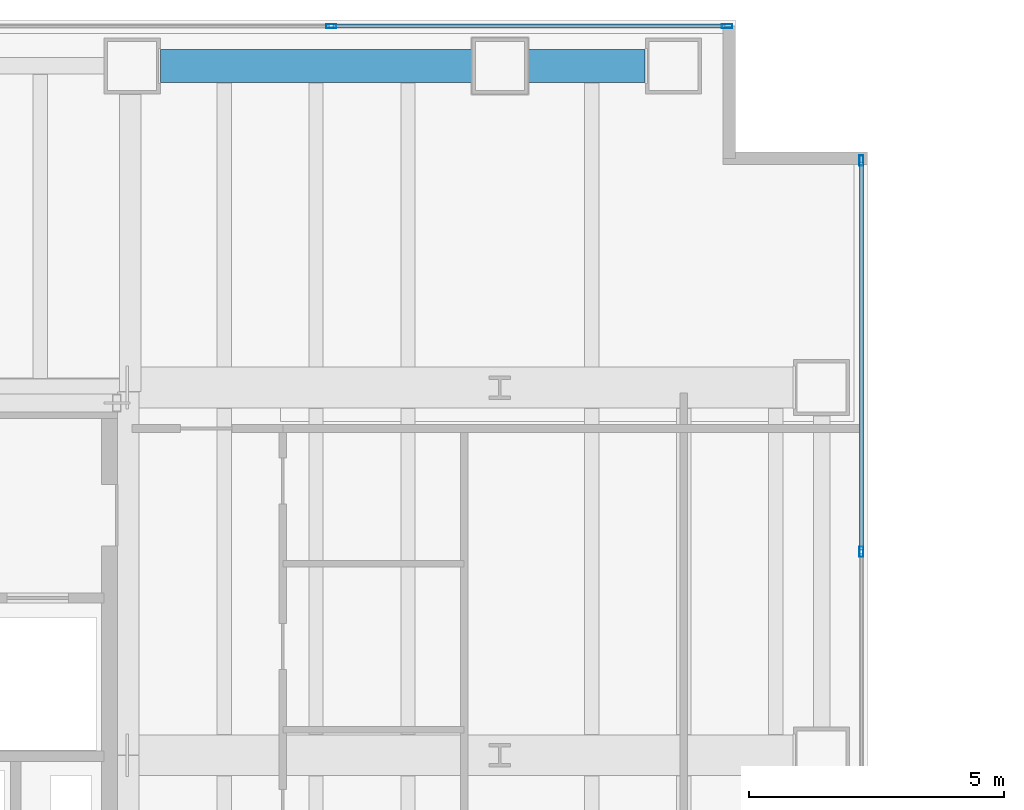
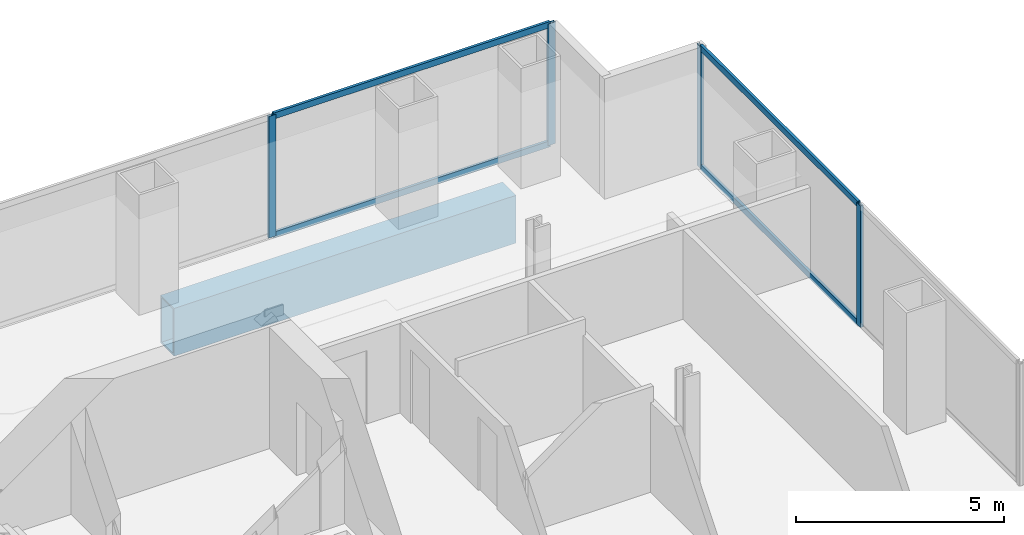
# One storey, part 18 of 24: 8 members, 1 beam, 2 elements without a shape of their own.
"""IFC4 building model written with IfcOpenShell, lengths in metres."""

import ifcopenshell
import ifcopenshell.guid

model = None  # the IFC model being written
_history = None  # IfcOwnerHistory: only IFC2X3 demands one
_inside = {}  # id of a spatial element -> (the spatial element, [elements in it])
_under = {}  # id of a project, library or spatial element -> (it, [spatial elements below it])
_declared = {}  # id of a project -> (the project, [libraries it declares])
_typed = {}  # id of a type object -> (the type object, [elements of that type])
_made_of = {}  # id of a material, layer set ... -> (it, [elements and type objects made of it])


def new_model(schema):
    """Start an empty IFC model of exactly this schema.

    Asked for "IFC4X3", IfcOpenShell would pick the latest addendum, in which some entities
    have other attributes; the version numbers below select the first issue.
    IFC2X3 requires an IfcOwnerHistory on every rooted entity: one is made here for all.
    """
    global model, _history
    if schema == "IFC4X3":
        model = ifcopenshell.file(schema_version=(4, 3, 0, 0))
    else:
        model = ifcopenshell.file(schema=schema)
    _inside.clear()
    _under.clear()
    _declared.clear()
    _typed.clear()
    _made_of.clear()
    _history = None
    if model.schema == "IFC2X3":
        org = make("IfcOrganization", Name="unknown")
        user = make(
            "IfcPersonAndOrganization",
            ThePerson=make("IfcPerson", FamilyName="unknown"),
            TheOrganization=org,
        )
        app = make(
            "IfcApplication",
            ApplicationDeveloper=org,
            Version="unknown",
            ApplicationFullName="unknown",
            ApplicationIdentifier="unknown",
        )
        _history = make(
            "IfcOwnerHistory",
            OwningUser=user,
            OwningApplication=app,
            ChangeAction="ADDED",
            CreationDate=0,
        )
    return model


def make(cls, **values):
    """One entity of the class cls with the attributes given. An attribute that is None is left unset."""
    return model.create_entity(
        cls, **{name: value for name, value in values.items() if value is not None}
    )


def rooted(cls, **values):
    """An entity with a GlobalId (a new one), such as an element, a storey or a relation."""
    return make(cls, GlobalId=ifcopenshell.guid.new(), OwnerHistory=_history, **values)


def si_unit(unit_type, name, prefix=None):
    """IfcSIUnit, for example si_unit("LENGTHUNIT", "METRE", prefix="MILLI")."""
    return make("IfcSIUnit", UnitType=unit_type, Prefix=prefix, Name=name)


def assignment(units):
    """IfcUnitAssignment: the units of a project."""
    return None if units is None else make("IfcUnitAssignment", Units=units)


def point(xyz):
    """IfcCartesianPoint."""
    return None if xyz is None else make("IfcCartesianPoint", Coordinates=xyz)


def direction(xyz):
    """IfcDirection."""
    return None if xyz is None else make("IfcDirection", DirectionRatios=xyz)


def frame(location, z_axis=None, x_axis=None):
    """IfcAxis2Placement3D, a coordinate frame: its origin and axes. An axis left out is left unset."""
    return make(
        "IfcAxis2Placement3D",
        Location=point(location),
        Axis=direction(z_axis),
        RefDirection=direction(x_axis),
    )


def frame_2d(location, x_axis=None):
    """IfcAxis2Placement2D, a coordinate frame in the plane: its origin and x axis."""
    return make(
        "IfcAxis2Placement2D", Location=point(location), RefDirection=direction(x_axis)
    )


def origin():
    """The frame at (0, 0, 0) with its axes left unset."""
    return frame((0.0, 0.0, 0.0))


def origin_2d():
    """The frame at (0, 0) in the plane with its x axis left unset."""
    return frame_2d((0.0, 0.0))


def place(relative_to, where):
    """IfcLocalPlacement: puts the frame where relative to a parent placement (None: the world)."""
    return make(
        "IfcLocalPlacement", PlacementRelTo=relative_to, RelativePlacement=where
    )


def context(
    kind, dimensions, precision=None, world=None, true_north=None, identifier=None
):
    """IfcGeometricRepresentationContext, for example the 3D "Model" context."""
    return make(
        "IfcGeometricRepresentationContext",
        ContextIdentifier=identifier,
        ContextType=kind,
        CoordinateSpaceDimension=dimensions,
        Precision=precision,
        WorldCoordinateSystem=world,
        TrueNorth=true_north,
    )


def subcontext(parent, identifier, kind, view, scale=None):
    """IfcGeometricRepresentationSubContext, for example "Body" below "Model"."""
    return make(
        "IfcGeometricRepresentationSubContext",
        ContextIdentifier=identifier,
        ContextType=kind,
        ParentContext=parent,
        TargetScale=scale,
        TargetView=view,
    )


def project(units=None, contexts=None):
    """IfcProject with its units and contexts."""
    return rooted(
        "IfcProject",
        Name="project",
        RepresentationContexts=contexts,
        UnitsInContext=assignment(units),
    )


def spatial(cls, under=None, at=None, **own):
    """A site, building, storey or space (cls), placed at a placement, below another one or the project."""
    s = rooted(cls, ObjectPlacement=at, **own)
    if under is not None:
        _under.setdefault(under.id(), (under, []))[1].append(s)
    return s


def profile(cls, at=None, kind="AREA", **sizes):
    """A parametric profile (cls). Its sizes go by their IFC names, for example OverallWidth=200.0."""
    return make(cls, ProfileType=kind, Position=at, **sizes)


def hollow_rectangle(**sizes):
    """IfcRectangleHollowProfileDef."""
    return profile("IfcRectangleHollowProfileDef", **sizes)


def extrude(swept, where, along, depth):
    """IfcExtrudedAreaSolid: the profile swept, set in the frame where, extruded along a direction by depth."""
    return make(
        "IfcExtrudedAreaSolid",
        SweptArea=swept,
        Position=where,
        ExtrudedDirection=direction(along),
        Depth=depth,
    )


def shape(context_of_items, identifier, shape_type, items):
    """IfcShapeRepresentation: the items that make up one representation, for example the "Body"."""
    return make(
        "IfcShapeRepresentation",
        ContextOfItems=context_of_items,
        RepresentationIdentifier=identifier,
        RepresentationType=shape_type,
        Items=items,
    )


def material(Name=None, Category=None):
    """IfcMaterial."""
    return make("IfcMaterial", Name=Name, Category=Category)


def material_profile(
    of_material, cross_section, Name=None, Category=None, Priority=None
):
    """IfcMaterialProfile: a cross section and its material."""
    return make(
        "IfcMaterialProfile",
        Name=Name,
        Material=of_material,
        Profile=cross_section,
        Priority=Priority,
        Category=Category,
    )


def profile_set(profiles, Name=None, composite=None):
    """IfcMaterialProfileSet."""
    return make(
        "IfcMaterialProfileSet",
        Name=Name,
        MaterialProfiles=profiles,
        CompositeProfile=composite,
    )


def made_of(thing, what):
    """Note that an element or type object is made of a material, layer set ...; save() writes the relation."""
    if what is not None:
        _made_of.setdefault(what.id(), (what, []))[1].append(thing)
    return thing


def type_object(cls, material=None, **own):
    """A type object (cls), such as IfcWallType, which elements share."""
    return made_of(rooted(cls, **own), material)


def element(
    cls,
    number,
    at=None,
    inside=None,
    cuts=None,
    type_object=None,
    material=None,
    context=None,
    identifier="Body",
    shape_type=None,
    held_by="IfcProductDefinitionShape",
    body=None,
    shapes=None,
    **own,
):
    """One element of the class cls, such as IfcWall. Its Tag is "e" and its number.

    at: its placement. inside: the storey or other place that contains it. cuts: it is an
    opening in that element (IfcRelVoidsElement). A single representation is given by context,
    identifier, shape_type and body (its items); several are given by shapes. held_by: the class
    of the entity that holds the representations. save() writes the other relations.
    """
    e = rooted(cls, Tag="e%d" % number, ObjectPlacement=at, **own)
    if body is not None:
        shapes = [shape(context, identifier, shape_type, body)]
    if shapes is not None:
        e.Representation = make(held_by, Representations=shapes)
    if inside is not None:
        _inside.setdefault(inside.id(), (inside, []))[1].append(e)
    if cuts is not None:
        rooted(
            "IfcRelVoidsElement", RelatingBuildingElement=cuts, RelatedOpeningElement=e
        )
    if type_object is not None:
        _typed.setdefault(type_object.id(), (type_object, []))[1].append(e)
    return made_of(e, material)


def aggregate(whole, parts):
    """IfcRelAggregates: a whole, such as a stair, and the parts it consists of."""
    return rooted("IfcRelAggregates", RelatingObject=whole, RelatedObjects=parts)


def save(model, path):
    """Write the relations noted so far, then the file.

    IfcRelAggregates (storeys below a building ...), IfcRelContainedInSpatialStructure (elements
    in a storey), IfcRelDefinesByType, IfcRelAssociatesMaterial and IfcRelDeclares: one each for
    every whole, place, type object, material and project.
    """
    for whole, parts in _under.values():
        aggregate(whole, parts)
    for where, things in _inside.values():
        rooted(
            "IfcRelContainedInSpatialStructure",
            RelatedElements=things,
            RelatingStructure=where,
        )
    for kind, things in _typed.values():
        rooted("IfcRelDefinesByType", RelatedObjects=things, RelatingType=kind)
    for what, things in _made_of.values():
        rooted("IfcRelAssociatesMaterial", RelatedObjects=things, RelatingMaterial=what)
    for by, libraries in _declared.values():
        rooted("IfcRelDeclares", RelatingContext=by, RelatedDefinitions=libraries)
    model.write(path)


model = new_model("IFC4")

# Units and contexts
model_context = context("Model", 3, precision=1e-05, world=origin(), true_north=direction((0.0, 1.0)))
body_context = subcontext(model_context, "Body", "Model", "MODEL_VIEW")
ifc_project = project(units=[si_unit("LENGTHUNIT", "METRE"), si_unit("AREAUNIT", "SQUARE_METRE"), si_unit("VOLUMEUNIT", "CUBIC_METRE"), si_unit("PLANEANGLEUNIT", "RADIAN"), si_unit("MASSUNIT", "GRAM", prefix="KILO")], contexts=[model_context])

# Site, building, storey
site_placement = place(None, origin())
site = spatial("IfcSite", under=ifc_project, at=site_placement, CompositionType="ELEMENT")
building_placement = place(site_placement, origin())
building = spatial("IfcBuilding", under=site, at=building_placement, Name="Cobrela Telecom Tower", CompositionType="ELEMENT")
storey_placement = place(building_placement, frame((0.0, 0.0, 31.14990234375)))
storey = spatial("IfcBuildingStorey", under=building, at=storey_placement, Name="L07", CompositionType="ELEMENT", Elevation=31.14990234375)

# Beam
ifc_material_1 = material(Name="Steel ASTM A572 Grade 50", Category="steel")
ifc_material_profile_1 = material_profile(ifc_material_1, hollow_rectangle(XDim=0.64990234375, YDim=1.39990234375, WallThickness=0.054931640625, at=origin_2d()), Name="BOX 1400x650x55")
ifc_profile_set_1 = profile_set([ifc_material_profile_1], Name="Steel ASTM A572 Grade 50")
beam_type = type_object("IfcBeamType", Name="BM-TRG-1400", PredefinedType="USERDEFINED", material=ifc_profile_set_1)
beam_placement = place(storey_placement, frame((14.955078125, 42.300048828125, -0.97998046875), z_axis=(1.0, 0.0, 0.0), x_axis=(0.0, 1.0, 0.0)))
element("IfcBeam", 1, at=beam_placement, inside=storey, type_object=beam_type, Name="L07 Transfer Girder 07", ObjectType="GIRDER", PredefinedType="USERDEFINED", context=body_context, shape_type="SweptSolid", body=[
    extrude(hollow_rectangle(XDim=0.64990234375, YDim=1.39990234375, WallThickness=0.054931640625, at=origin_2d()), origin(), (0.0, 0.0, 1.0), 9.489990234375),
])

# Curtain wall, members
ifc_material_2 = material(Name="Anodized Bronze Aluminium 6063-T6", Category="aluminium")
curtain_wall_type = type_object("IfcCurtainWallType", Name="CW-SYS-DATA", PredefinedType="USERDEFINED", material=ifc_material_2)
curtain_wall_1_placement = place(storey_placement, origin())
curtain_wall_1 = element("IfcCurtainWall", 2, at=curtain_wall_1_placement, inside=storey, type_object=curtain_wall_type, Name="L07 Unitised Bronze Curtain Wall 07", ObjectType="UNITISED CURTAIN WALL", PredefinedType="USERDEFINED")
ifc_material_profile_2 = material_profile(ifc_material_2, hollow_rectangle(XDim=0.080078125, YDim=0.199951171875, WallThickness=0.00390625, at=origin_2d()), Name="ALU 80x200x4")
ifc_profile_set_2 = profile_set([ifc_material_profile_2], Name="Anodized Bronze Aluminium 6063-T6")
member_type_1 = type_object("IfcMemberType", Name="CW-SYS-DATA-MUL", PredefinedType="MULLION", material=ifc_profile_set_2)
member_1_placement = place(storey_placement, frame((18.296630859375, 43.080078125, 0.0), z_axis=(0.0, 0.0, 1.0), x_axis=(0.0, 1.0, 0.0)))
member_1 = element("IfcMember", 3, at=member_1_placement, type_object=member_type_1, Name="CW-DATA mullion 3", PredefinedType="MULLION", context=body_context, shape_type="SweptSolid", body=[
    extrude(hollow_rectangle(XDim=0.080078125, YDim=0.199951171875, WallThickness=0.00390625, at=origin_2d()), origin(), (0.0, 0.0, 1.0), 3.570068359375),
])
member_2_placement = place(storey_placement, frame((26.050048828125, 43.080078125, 0.0), z_axis=(0.0, 0.0, 1.0), x_axis=(0.0, 1.0, 0.0)))
member_2 = element("IfcMember", 4, at=member_2_placement, type_object=member_type_1, Name="CW-DATA mullion 4", PredefinedType="MULLION", context=body_context, shape_type="SweptSolid", body=[
    extrude(hollow_rectangle(XDim=0.080078125, YDim=0.199951171875, WallThickness=0.00390625, at=origin_2d()), origin(), (0.0, 0.0, 1.0), 3.570068359375),
])

curtain_wall_2_placement = place(storey_placement, origin())
curtain_wall_2 = element("IfcCurtainWall", 5, at=curtain_wall_2_placement, inside=storey, type_object=curtain_wall_type, Name="L07 Unitised Bronze Curtain Wall 10", ObjectType="UNITISED CURTAIN WALL", PredefinedType="USERDEFINED")
member_3_placement = place(storey_placement, frame((28.679931640625, 40.449951171875, 0.0), z_axis=(0.0, 0.0, 1.0), x_axis=(1.0, 0.0, 0.0)))
member_3 = element("IfcMember", 6, at=member_3_placement, type_object=member_type_1, Name="CW-DATA mullion 1", PredefinedType="MULLION", context=body_context, shape_type="SweptSolid", body=[
    extrude(hollow_rectangle(XDim=0.080078125, YDim=0.199951171875, WallThickness=0.00390625, at=origin_2d()), origin(), (0.0, 0.0, 1.0), 3.570068359375),
])
member_4_placement = place(storey_placement, frame((28.679931640625, 32.784912109375, 0.0), z_axis=(0.0, 0.0, 1.0), x_axis=(1.0, 0.0, 0.0)))
member_4 = element("IfcMember", 7, at=member_4_placement, type_object=member_type_1, Name="CW-DATA mullion 2", PredefinedType="MULLION", context=body_context, shape_type="SweptSolid", body=[
    extrude(hollow_rectangle(XDim=0.080078125, YDim=0.199951171875, WallThickness=0.00390625, at=origin_2d()), origin(), (0.0, 0.0, 1.0), 3.570068359375),
])

# Member
ifc_material_profile_3 = material_profile(ifc_material_2, hollow_rectangle(XDim=0.074951171875, YDim=0.179931640625, WallThickness=0.00390625, at=origin_2d()), Name="ALU 75x180x4")
ifc_profile_set_3 = profile_set([ifc_material_profile_3], Name="Anodized Bronze Aluminium 6063-T6")
member_type_2 = type_object("IfcMemberType", Name="CW-SYS-DATA-TRN", PredefinedType="USERDEFINED", material=ifc_profile_set_3)
member_5_placement = place(storey_placement, frame((18.336669921875, 43.080078125, 0.03759765625), z_axis=(1.0, 0.0, 0.0), x_axis=(0.0, 1.0, 0.0)))
member_5 = element("IfcMember", 8, at=member_5_placement, type_object=member_type_2, Name="CW-DATA transom 3.1", ObjectType="TRANSOM", PredefinedType="USERDEFINED", context=body_context, shape_type="SweptSolid", body=[
    extrude(hollow_rectangle(XDim=0.074951171875, YDim=0.179931640625, WallThickness=0.00390625, at=origin_2d()), origin(), (0.0, 0.0, 1.0), 7.67333984375),
])

member_6_placement = place(storey_placement, frame((18.336669921875, 43.080078125, 3.53271484375), z_axis=(1.0, 0.0, 0.0), x_axis=(0.0, 1.0, 0.0)))
member_6 = element("IfcMember", 9, at=member_6_placement, type_object=member_type_2, Name="CW-DATA transom 3.2", ObjectType="TRANSOM", PredefinedType="USERDEFINED", context=body_context, shape_type="SweptSolid", body=[
    extrude(hollow_rectangle(XDim=0.074951171875, YDim=0.179931640625, WallThickness=0.00390625, at=origin_2d()), origin(), (0.0, 0.0, 1.0), 7.67333984375),
])

aggregate(curtain_wall_1, [member_1, member_2, member_5, member_6])

member_7_placement = place(storey_placement, frame((28.679931640625, 40.409912109375, 0.03759765625), z_axis=(0.0, -1.0, 0.0), x_axis=(1.0, 0.0, 0.0)))
member_7 = element("IfcMember", 10, at=member_7_placement, type_object=member_type_2, Name="CW-DATA transom 1.1", ObjectType="TRANSOM", PredefinedType="USERDEFINED", context=body_context, shape_type="SweptSolid", body=[
    extrude(hollow_rectangle(XDim=0.074951171875, YDim=0.179931640625, WallThickness=0.00390625, at=origin_2d()), origin(), (0.0, 0.0, 1.0), 7.5849609375),
])

member_8_placement = place(storey_placement, frame((28.679931640625, 40.409912109375, 3.53271484375), z_axis=(0.0, -1.0, 0.0), x_axis=(1.0, 0.0, 0.0)))
member_8 = element("IfcMember", 11, at=member_8_placement, type_object=member_type_2, Name="CW-DATA transom 1.2", ObjectType="TRANSOM", PredefinedType="USERDEFINED", context=body_context, shape_type="SweptSolid", body=[
    extrude(hollow_rectangle(XDim=0.074951171875, YDim=0.179931640625, WallThickness=0.00390625, at=origin_2d()), origin(), (0.0, 0.0, 1.0), 7.5849609375),
])

aggregate(curtain_wall_2, [member_3, member_4, member_7, member_8])

save(model, "model.ifc")
